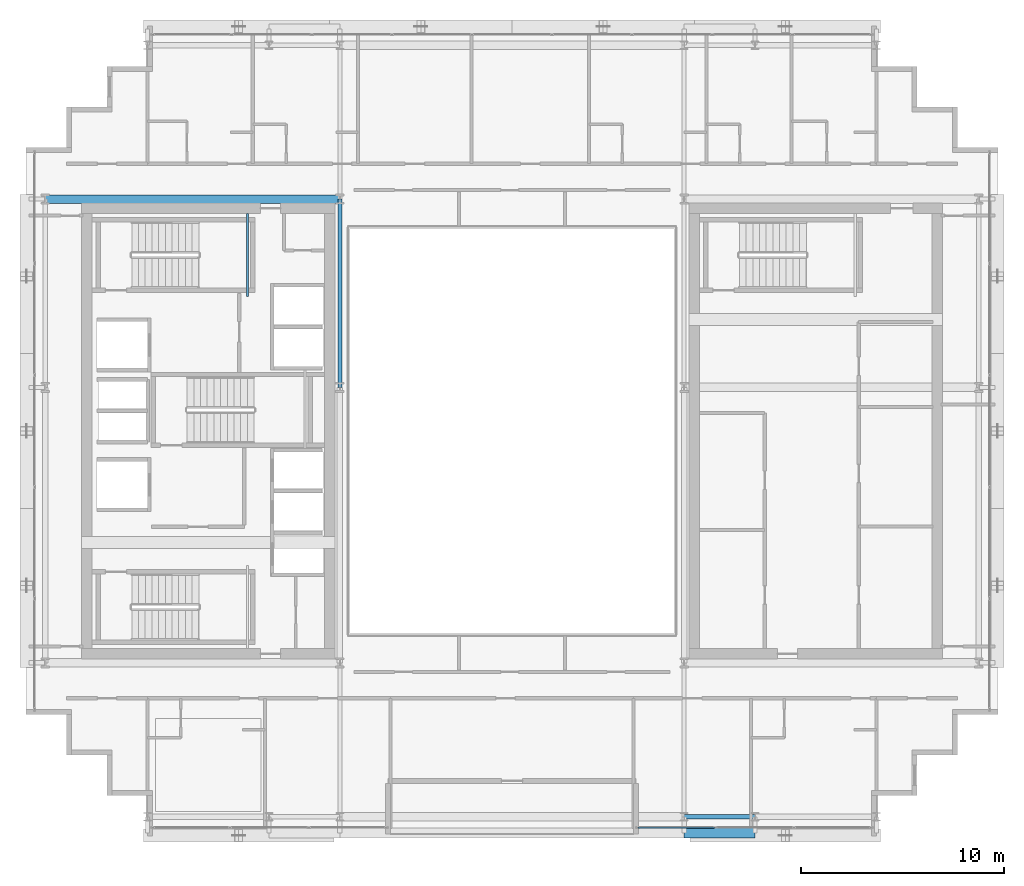
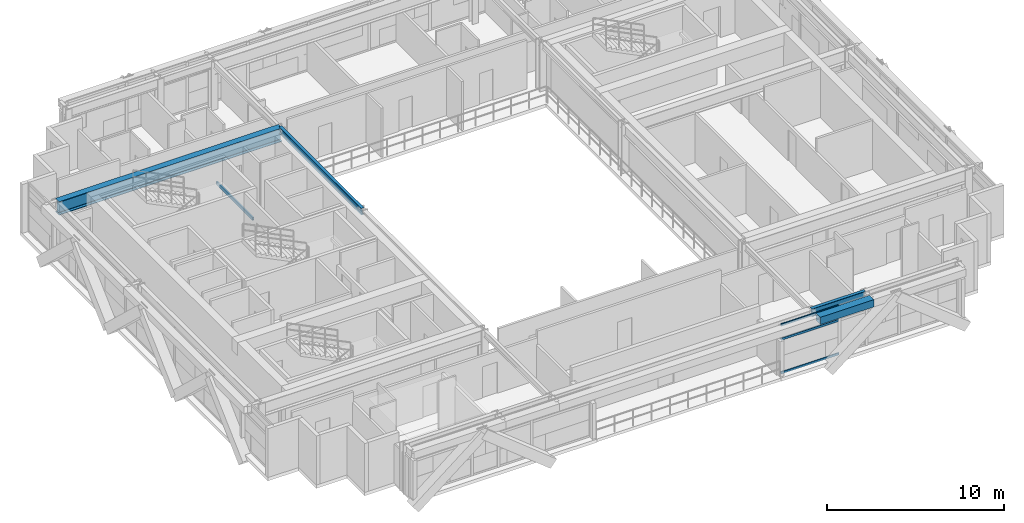
# One storey, part 9 of 31: 5 beams, 3 members, 1 element without a shape of its own.
"""IFC4 building model written with IfcOpenShell, lengths in metres."""

from ifc_helpers import new_model, si_unit, direction, frame, origin, origin_2d, place, context, subcontext, project, spatial, hollow_rectangle, i_section, extrude, source, transform, mapped, material, layer, layer_set, material_profile, profile_set, type_object, element, aggregate, save


model = new_model("IFC4")

# Units and contexts
model_context = context("Model", 3, precision=1e-05, world=origin(), true_north=direction((0.0, 1.0)))
body_context = subcontext(model_context, "Body", "Model", "MODEL_VIEW")
ifc_project = project(units=[si_unit("LENGTHUNIT", "METRE"), si_unit("AREAUNIT", "SQUARE_METRE"), si_unit("VOLUMEUNIT", "CUBIC_METRE"), si_unit("PLANEANGLEUNIT", "RADIAN"), si_unit("MASSUNIT", "GRAM", prefix="KILO")], contexts=[model_context])

# Site, building, storey
site_placement = place(None, origin())
site = spatial("IfcSite", under=ifc_project, at=site_placement, CompositionType="ELEMENT")
building_placement = place(site_placement, origin())
building = spatial("IfcBuilding", under=site, at=building_placement, Name="Ocotamira Hotel", CompositionType="ELEMENT")
storey_placement = place(building_placement, frame((0.0, 0.0, 188.39990234375)))
storey = spatial("IfcBuildingStorey", under=building, at=storey_placement, Name="L47", CompositionType="ELEMENT", Elevation=188.39990234375)

# Beams
ifc_material_1 = material(Name="Steel ASTM A500 Grade C", Category="steel")
ifc_material_profile_1 = material_profile(ifc_material_1, hollow_rectangle(XDim=0.10009765625, YDim=0.199951171875, WallThickness=0.008056640625, at=origin_2d()), Name="HSS200X100X8")
ifc_profile_set_1 = profile_set([ifc_material_profile_1], Name="Steel ASTM A500 Grade C")
beam_type_1 = type_object("IfcBeamType", Name="BM-STLDG-HSS200", PredefinedType="BEAM", material=ifc_profile_set_1)
shared_shape_1 = source(origin(), body_context, "Body", "SweptSolid", [
    extrude(hollow_rectangle(XDim=0.10009765625, YDim=0.199951171875, WallThickness=0.008056640625, at=origin_2d()), origin(), (0.0, 0.0, 1.0), 4.1201171875),
])
beam_1_placement = place(storey_placement, frame((18.949951171875, 32.6298828125, 1.5), z_axis=(0.0, 1.0, 0.0), x_axis=(-1.0, 0.0, 0.0)))
element("IfcBeam", 1, at=beam_1_placement, inside=storey, type_object=beam_type_1, Name="L47 Stair ST-2 Landing Bearer 1", PredefinedType="BEAM", context=body_context, shape_type="MappedRepresentation", body=[
    mapped(shared_shape_1, transform((0.0, 0.0, 0.0), scale=1.0)),
])
ifc_material_2 = material(Name="Steel ASTM A992 Grade 50", Category="steel")
ifc_material_profile_2 = material_profile(ifc_material_2, i_section(OverallWidth=0.41796875, OverallDepth=0.927001953125, WebThickness=0.019287109375, FlangeThickness=0.031982421875, FilletRadius=0.02392578125, at=origin_2d()), Name="W36X231")
ifc_profile_set_2 = profile_set([ifc_material_profile_2], Name="Steel ASTM A992 Grade 50")
beam_type_2 = type_object("IfcBeamType", Name="BM-GIRD-W36X231", PredefinedType="BEAM", material=ifc_profile_set_2)
shared_shape_2 = source(origin(), body_context, "Body", "SweptSolid", [
    extrude(i_section(OverallWidth=0.41796875, OverallDepth=0.927001953125, WebThickness=0.019287109375, FlangeThickness=0.031982421875, FilletRadius=0.02392578125, at=origin_2d()), origin(), (0.0, 0.0, 1.0), 14.550048828125),
])
beam_2_placement = place(storey_placement, frame((8.949951171875, 37.449951171875, 2.906494140625), z_axis=(1.0, 0.0, 0.0), x_axis=(0.0, 1.0, 0.0)))
element("IfcBeam", 2, at=beam_2_placement, inside=storey, type_object=beam_type_2, Name="L47 Girder Y37.45 X8.95-23.5", PredefinedType="BEAM", context=body_context, shape_type="MappedRepresentation", body=[
    mapped(shared_shape_2, transform((0.0, 0.0, 0.0), scale=1.0)),
])
ifc_material_profile_3 = material_profile(ifc_material_2, i_section(OverallWidth=0.2099609375, OverallDepth=0.537109375, WebThickness=0.010986328125, FlangeThickness=0.017333984375, FilletRadius=0.012939453125, at=origin_2d()), Name="W21X68")
ifc_profile_set_3 = profile_set([ifc_material_profile_3], Name="Steel ASTM A992 Grade 50")
beam_type_3 = type_object("IfcBeamType", Name="BM-SEC-W21X68", PredefinedType="JOIST", material=ifc_profile_set_3)
shared_shape_3 = source(origin(), body_context, "Body", "SweptSolid", [
    extrude(i_section(OverallWidth=0.2099609375, OverallDepth=0.537109375, WebThickness=0.010986328125, FlangeThickness=0.017333984375, FilletRadius=0.012939453125, at=origin_2d()), origin(), (0.0, 0.0, 1.0), 3.5),
])
beam_3_placement = place(storey_placement, frame((40.5, 6.949951171875, 3.1015625), z_axis=(1.0, 0.0, 0.0), x_axis=(0.0, 1.0, 0.0)))
element("IfcBeam", 3, at=beam_3_placement, inside=storey, type_object=beam_type_3, Name="L47 Girder Y6.95 X40.5-44", PredefinedType="JOIST", context=body_context, shape_type="MappedRepresentation", body=[
    mapped(shared_shape_3, transform((0.0, 0.0, 0.0), scale=1.0)),
])
ifc_material_profile_4 = material_profile(ifc_material_2, i_section(OverallWidth=0.18994140625, OverallDepth=0.45703125, WebThickness=0.009033203125, FlangeThickness=0.014404296875, FilletRadius=0.010009765625, at=origin_2d()), Name="W18X50")
ifc_profile_set_4 = profile_set([ifc_material_profile_4], Name="Steel ASTM A992 Grade 50")
beam_type_4 = type_object("IfcBeamType", Name="BM-SEC-W18X50", PredefinedType="JOIST", material=ifc_profile_set_4)
shared_shape_4 = source(origin(), body_context, "Body", "SweptSolid", [
    extrude(i_section(OverallWidth=0.18994140625, OverallDepth=0.45703125, WebThickness=0.009033203125, FlangeThickness=0.014404296875, FilletRadius=0.010009765625, at=origin_2d()), origin(), (0.0, 0.0, 1.0), 9.300048828125),
])
beam_4_placement = place(storey_placement, frame((23.5, 28.14990234375, 3.1416015625), z_axis=(0.0, 1.0, 0.0), x_axis=(-1.0, 0.0, 0.0)))
element("IfcBeam", 4, at=beam_4_placement, inside=storey, type_object=beam_type_4, Name="L47 Beam X23.5 Y28.15-37.45", PredefinedType="JOIST", context=body_context, shape_type="MappedRepresentation", body=[
    mapped(shared_shape_4, transform((0.0, 0.0, 0.0), scale=1.0)),
])
ifc_material_profile_5 = material_profile(ifc_material_1, hollow_rectangle(XDim=0.5, YDim=0.5, WallThickness=0.02001953125, at=origin_2d()), Name="HSS500X500X20")
ifc_profile_set_5 = profile_set([ifc_material_profile_5], Name="Steel ASTM A500 Grade C")
beam_type_5 = type_object("IfcBeamType", Name="BM-SPAN-HSS500", PredefinedType="USERDEFINED", material=ifc_profile_set_5)
shared_shape_5 = source(origin(), body_context, "Body", "SweptSolid", [
    extrude(hollow_rectangle(XDim=0.5, YDim=0.5, WallThickness=0.02001953125, at=origin_2d()), origin(), (0.0, 0.0, 1.0), 3.5),
])
beam_5_placement = place(storey_placement, frame((40.5, 6.14990234375, 3.1201171875), z_axis=(1.0, 0.0, 0.0), x_axis=(0.0, 1.0, 0.0)))
element("IfcBeam", 5, at=beam_5_placement, inside=storey, type_object=beam_type_5, Name="L47 Edge Spandrel S X40.5-44", ObjectType="SPANDREL", PredefinedType="USERDEFINED", context=body_context, shape_type="MappedRepresentation", body=[
    mapped(shared_shape_5, transform((0.0, 0.0, 0.0), scale=1.0)),
])

# Curtain wall, members
ifc_material_3 = material(Name="Anodised pale-metal aluminium and solar glass", Category="aluminium")
ifc_layer = layer(ifc_material_3, 0.199951171875)
ifc_layer_set = layer_set([ifc_layer], Name="Anodised pale-metal aluminium and solar glass")
curtain_wall_type = type_object("IfcCurtainWallType", Name="CW-SYS4-Z3", PredefinedType="NOTDEFINED", material=ifc_layer_set)
curtain_wall_placement = place(storey_placement, origin())
curtain_wall = element("IfcCurtainWall", 6, at=curtain_wall_placement, inside=storey, type_object=curtain_wall_type, Name="L47 Curtain Wall CW-4 CW-L47-S2", PredefinedType="NOTDEFINED")
ifc_material_4 = material(Name="Anodised pale-metal aluminium 6063-T6", Category="aluminium")
ifc_material_profile_6 = material_profile(ifc_material_4, hollow_rectangle(XDim=0.074951171875, YDim=0.14990234375, WallThickness=0.006103515625, at=origin_2d()), Name="HSS150X75X6")
ifc_profile_set_6 = profile_set([ifc_material_profile_6], Name="Anodised pale-metal aluminium 6063-T6")
member_type = type_object("IfcMemberType", Name="CWT-150X75", PredefinedType="USERDEFINED", material=ifc_profile_set_6)
shared_shape_6 = source(origin(), body_context, "Body", "SweptSolid", [
    extrude(hollow_rectangle(XDim=0.074951171875, YDim=0.14990234375, WallThickness=0.006103515625, at=origin_2d()), origin(), (0.0, 0.0, 1.0), 3.763427734375),
])
member_1_placement = place(storey_placement, frame((38.22998046875, 6.419921875, 0.03759765625), z_axis=(1.0, 0.0, 0.0), x_axis=(0.0, 1.0, 0.0)))
member_1 = element("IfcMember", 7, at=member_1_placement, type_object=member_type, Name="CW-4 transom 1.1", ObjectType="TRANSOM", PredefinedType="USERDEFINED", context=body_context, shape_type="MappedRepresentation", body=[
    mapped(shared_shape_6, transform((0.0, 0.0, 0.0), scale=1.0)),
])
member_2_placement = place(storey_placement, frame((38.22998046875, 6.419921875, 2.35009765625), z_axis=(1.0, 0.0, 0.0), x_axis=(0.0, 1.0, 0.0)))
member_2 = element("IfcMember", 8, at=member_2_placement, type_object=member_type, Name="CW-4 transom 1.2", ObjectType="TRANSOM", PredefinedType="USERDEFINED", context=body_context, shape_type="MappedRepresentation", body=[
    mapped(shared_shape_6, transform((0.0, 0.0, 0.0), scale=1.0)),
])
member_3_placement = place(storey_placement, frame((38.22998046875, 6.419921875, 3.33251953125), z_axis=(1.0, 0.0, 0.0), x_axis=(0.0, 1.0, 0.0)))
member_3 = element("IfcMember", 9, at=member_3_placement, type_object=member_type, Name="CW-4 transom 1.3", ObjectType="TRANSOM", PredefinedType="USERDEFINED", context=body_context, shape_type="MappedRepresentation", body=[
    mapped(shared_shape_6, transform((0.0, 0.0, 0.0), scale=1.0)),
])
aggregate(curtain_wall, [member_1, member_2, member_3])

save(model, "model.ifc")
